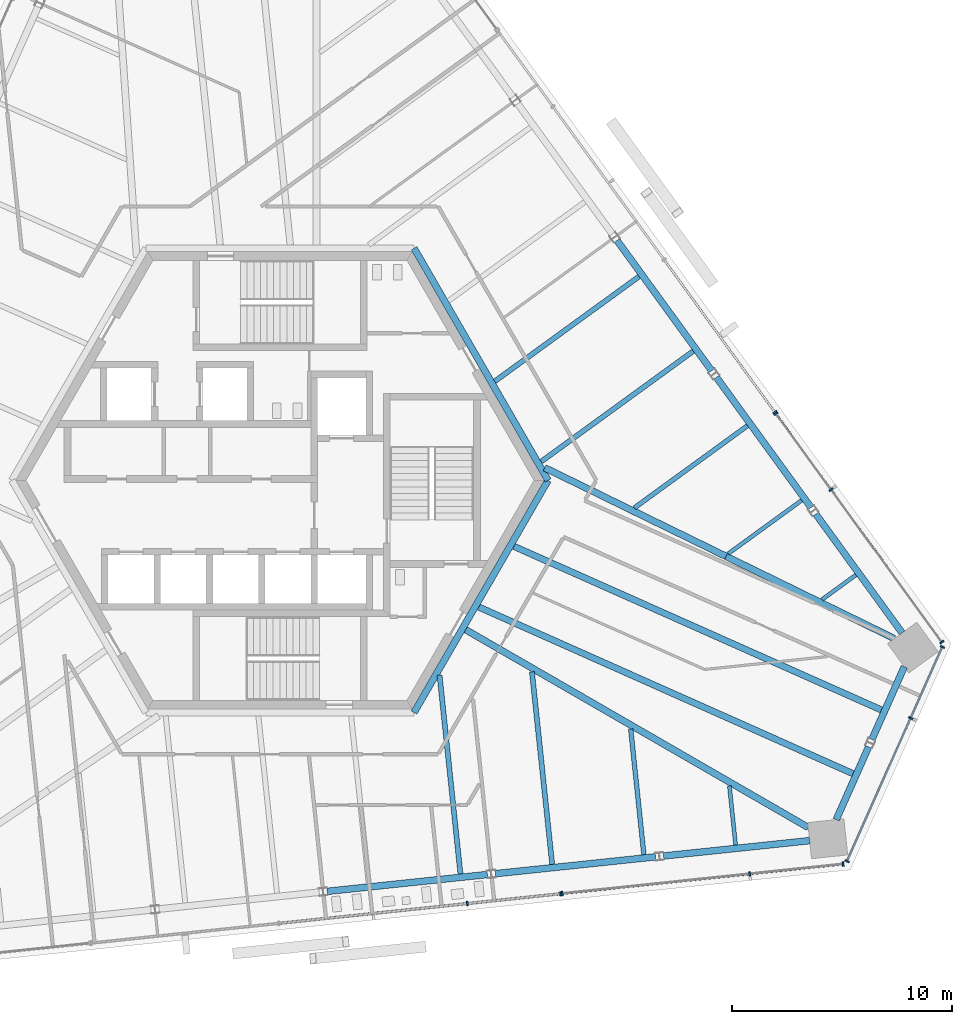
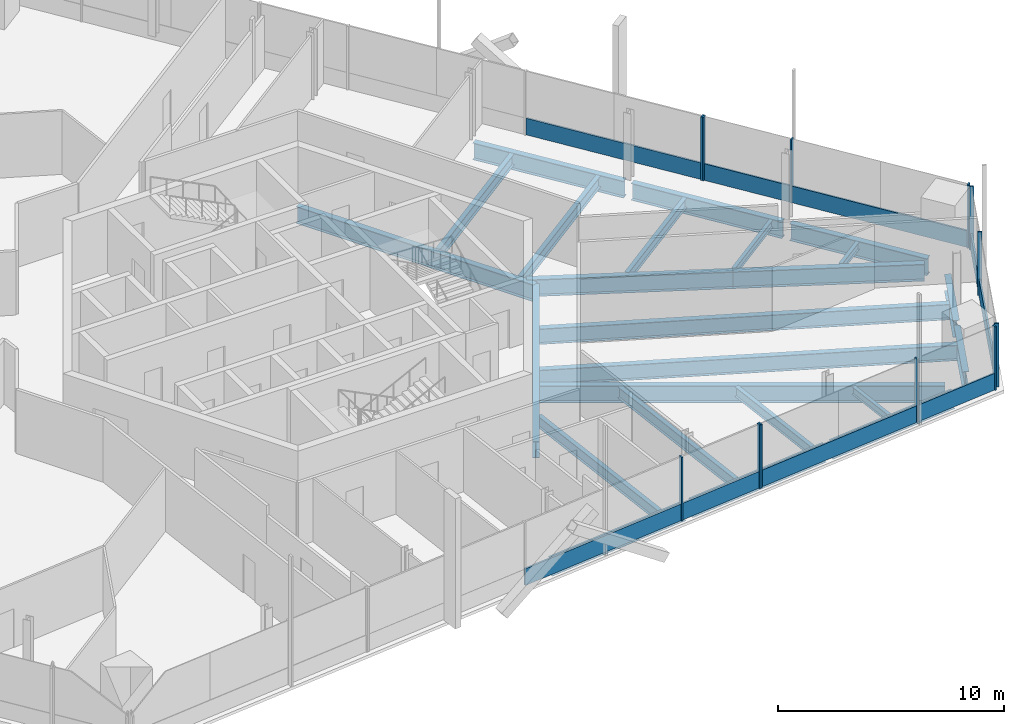
# One storey, part 6 of 20: 24 beams, 21 members, 5 elements without a shape of their own.
"""IFC4 building model written with IfcOpenShell, lengths in metres."""

from ifc_helpers import new_model, si_unit, direction, frame, origin, origin_2d, place, context, subcontext, project, spatial, rectangle, i_section, extrude, source, transform, mapped, material, material_profile, profile_set, type_object, element, aggregate, save


model = new_model("IFC4")

# Units and contexts
model_context = context("Model", 3, precision=1e-05, world=origin(), true_north=direction((0.0, 1.0)))
body_context = subcontext(model_context, "Body", "Model", "MODEL_VIEW")
ifc_project = project(units=[si_unit("LENGTHUNIT", "METRE"), si_unit("AREAUNIT", "SQUARE_METRE"), si_unit("VOLUMEUNIT", "CUBIC_METRE"), si_unit("PLANEANGLEUNIT", "RADIAN"), si_unit("MASSUNIT", "GRAM", prefix="KILO")], contexts=[model_context])

# Site, building, storey
site_placement = place(None, origin())
site = spatial("IfcSite", under=ifc_project, at=site_placement, CompositionType="ELEMENT")
building_placement = place(site_placement, origin())
building = spatial("IfcBuilding", under=site, at=building_placement, Name="Triune Harvest Tower", CompositionType="ELEMENT")
storey_placement = place(building_placement, frame((0.0, 0.0, 234.10009765625)))
storey = spatial("IfcBuildingStorey", under=building, at=storey_placement, Name="L61", CompositionType="ELEMENT", Elevation=234.10009765625)

# Beams
ifc_material_1 = material(Name="Steel ASTM A992 Gr 50", Category="steel")
ifc_material_profile_1 = material_profile(ifc_material_1, i_section(OverallWidth=0.3046875, OverallDepth=0.914306640625, WebThickness=0.0166015625, FlangeThickness=0.02587890625, at=origin_2d()), Name="W36x160")
ifc_profile_set_1 = profile_set([ifc_material_profile_1], Name="Steel ASTM A992 Gr 50")
beam_type_1 = type_object("IfcBeamType", Name="CG-1 Core ring girder W36x160", PredefinedType="BEAM", material=ifc_profile_set_1)
shared_shape_1 = source(origin(), body_context, "Body", "SweptSolid", [
    extrude(i_section(OverallWidth=0.3046875, OverallDepth=0.914306640625, WebThickness=0.0166015625, FlangeThickness=0.02587890625, at=origin_2d()), origin(), (0.0, 0.0, 1.0), 12.176025390625),
])
for number, where, z_axis, x_axis, name in (
    (1, (12.176025390625, 0.0, -0.6171875), (-0.5000099932, 0.866019634131, 0.0), (-0.866019634131, -0.5000099932, 0.0), "beam/L61/CG1"),
    (2, (6.087890625, -10.544677734375, -0.6171875), (0.5000099932, 0.866019634131, 0.0), (-0.866019634131, 0.5000099932, 0.0), "beam/L61/CG6"),
):
    element("IfcBeam", number, at=place(storey_placement, frame(where, z_axis=z_axis, x_axis=x_axis)), inside=storey, type_object=beam_type_1, Name=name, PredefinedType="BEAM", context=body_context, shape_type="MappedRepresentation", body=[
        mapped(shared_shape_1, transform((0.0, 0.0, 0.0), scale=1.0)),
    ])
ifc_material_2 = material(Name="Steel ASTM A992 Gr 50", Category="steel")
ifc_material_profile_2 = material_profile(ifc_material_2, i_section(OverallWidth=0.3046875, OverallDepth=0.914306640625, WebThickness=0.0166015625, FlangeThickness=0.02587890625, at=origin_2d()), Name="W36x160")
ifc_profile_set_2 = profile_set([ifc_material_profile_2], Name="Steel ASTM A992 Gr 50")
beam_type_2 = type_object("IfcBeamType", Name="HG-3 Hip girder W36x160", PredefinedType="BEAM", material=ifc_profile_set_2)
shared_shape_2 = source(origin(), body_context, "Body", "SweptSolid", [
    extrude(i_section(OverallWidth=0.3046875, OverallDepth=0.914306640625, WebThickness=0.0166015625, FlangeThickness=0.02587890625, at=origin_2d()), origin(), (0.0, 0.0, 1.0), 9.168212890625),
])
beam_1_placement = place(storey_placement, frame((20.2587890625, -3.451171875, -0.6171875), z_axis=(-0.898521846145, 0.438928800605, 0.0), x_axis=(-0.438928800605, -0.898521846145, 0.0)))
element("IfcBeam", 3, at=beam_1_placement, inside=storey, type_object=beam_type_2, Name="beam/L61/HG2", PredefinedType="BEAM", context=body_context, shape_type="MappedRepresentation", body=[
    mapped(shared_shape_2, transform((0.0, 0.0, 0.0), scale=1.0)),
])
ifc_material_3 = material(Name="Steel ASTM A992 Gr 50", Category="steel")
ifc_material_profile_3 = material_profile(ifc_material_3, i_section(OverallWidth=0.3046875, OverallDepth=0.914306640625, WebThickness=0.0166015625, FlangeThickness=0.02587890625, at=origin_2d()), Name="W36x160")
ifc_profile_set_3 = profile_set([ifc_material_profile_3], Name="Steel ASTM A992 Gr 50")
beam_type_3 = type_object("IfcBeamType", Name="SB-1 Spandrel beam W36x160", PredefinedType="SPANDREL", material=ifc_profile_set_3)
shared_shape_3 = source(origin(), body_context, "Body", "SweptSolid", [
    extrude(i_section(OverallWidth=0.3046875, OverallDepth=0.914306640625, WebThickness=0.0166015625, FlangeThickness=0.02587890625, at=origin_2d()), origin(), (0.0, 0.0, 1.0), 6.67041015625),
])
for number, where, z_axis, x_axis, name in (
    (4, (28.256591796875, -6.927734375, -0.6171875), (-0.587797324645, 0.80900822316, 0.0), (-0.80900822316, -0.587797324645, 0.0), "beam/L61/SB1"),
    (5, (17.421630859375, -17.060302734375, -0.6171875), (0.994521485501, 0.104532362822, 0.0), (-0.104532362822, 0.994521485501, 0.0), "beam/L61/SB22"),
):
    element("IfcBeam", number, at=place(storey_placement, frame(where, z_axis=z_axis, x_axis=x_axis)), inside=storey, type_object=beam_type_3, Name=name, PredefinedType="SPANDREL", context=body_context, shape_type="MappedRepresentation", body=[
        mapped(shared_shape_3, transform((0.0, 0.0, 0.0), scale=1.0)),
    ])
shared_shape_4 = source(origin(), body_context, "Body", "SweptSolid", [
    extrude(i_section(OverallWidth=0.3046875, OverallDepth=0.914306640625, WebThickness=0.0166015625, FlangeThickness=0.02587890625, at=origin_2d()), origin(), (0.0, 0.0, 1.0), 7.31103515625),
])
for number, where, z_axis, x_axis, name in (
    (6, (24.119384765625, -1.2333984375, -0.6171875), (-0.587786436325, 0.809016134124, 0.0), (-0.809016134124, -0.587786436325, 0.0), "beam/L61/SB2"),
    (7, (19.60546875, 4.9794921875, -0.6171875), (-0.587786436325, 0.809016134124, 0.0), (-0.809016134124, -0.587786436325, 0.0), "beam/L61/SB3"),
    (8, (9.784423828125, -17.863037109375, -0.6171875), (0.994522639393, 0.104521384101, 0.0), (-0.104521384101, 0.994522639393, 0.0), "beam/L61/SB21"),
):
    element("IfcBeam", number, at=place(storey_placement, frame(where, z_axis=z_axis, x_axis=x_axis)), inside=storey, type_object=beam_type_3, Name=name, PredefinedType="SPANDREL", context=body_context, shape_type="MappedRepresentation", body=[
        mapped(shared_shape_4, transform((0.0, 0.0, 0.0), scale=1.0)),
    ])
shared_shape_5 = source(origin(), body_context, "Body", "SweptSolid", [
    extrude(i_section(OverallWidth=0.3046875, OverallDepth=0.914306640625, WebThickness=0.0166015625, FlangeThickness=0.02587890625, at=origin_2d()), origin(), (0.0, 0.0, 1.0), 3.614990234375),
])
beam_2_placement = place(storey_placement, frame((26.883544921875, -11.767822265625, -0.6171875), z_axis=(0.406758712736, 0.913535631277, 0.0), x_axis=(-0.913535631277, 0.406758712736, 0.0)))
element("IfcBeam", 9, at=beam_2_placement, inside=storey, type_object=beam_type_3, Name="beam/L61/SB24", PredefinedType="SPANDREL", context=body_context, shape_type="MappedRepresentation", body=[
    mapped(shared_shape_5, transform((0.0, 0.0, 0.0), scale=1.0)),
])
shared_shape_6 = source(origin(), body_context, "Body", "SweptSolid", [
    extrude(i_section(OverallWidth=0.3046875, OverallDepth=0.914306640625, WebThickness=0.0166015625, FlangeThickness=0.02587890625, at=origin_2d()), origin(), (0.0, 0.0, 1.0), 7.311279296875),
])
beam_3_placement = place(storey_placement, frame((2.14697265625, -18.665771484375, -0.6171875), z_axis=(0.994523004189, 0.104517913008, 0.0), x_axis=(-0.104517913008, 0.994523004189, 0.0)))
element("IfcBeam", 10, at=beam_3_placement, inside=storey, type_object=beam_type_3, Name="beam/L61/SB20", PredefinedType="SPANDREL", context=body_context, shape_type="MappedRepresentation", body=[
    mapped(shared_shape_6, transform((0.0, 0.0, 0.0), scale=1.0)),
])
shared_shape_7 = source(origin(), body_context, "Body", "SweptSolid", [
    extrude(i_section(OverallWidth=0.3046875, OverallDepth=0.914306640625, WebThickness=0.0166015625, FlangeThickness=0.02587890625, at=origin_2d()), origin(), (0.0, 0.0, 1.0), 3.61474609375),
])
beam_4_placement = place(storey_placement, frame((25.263427734375, -15.406494140625, -0.6171875), z_axis=(0.406783809082, 0.913524456525, 0.0), x_axis=(-0.913524456525, 0.406783809082, 0.0)))
element("IfcBeam", 11, at=beam_4_placement, inside=storey, type_object=beam_type_3, Name="beam/L61/SB23", PredefinedType="SPANDREL", context=body_context, shape_type="MappedRepresentation", body=[
    mapped(shared_shape_7, transform((0.0, 0.0, 0.0), scale=1.0)),
])
shared_shape_8 = source(origin(), body_context, "Body", "SweptSolid", [
    extrude(i_section(OverallWidth=0.3046875, OverallDepth=0.914306640625, WebThickness=0.0166015625, FlangeThickness=0.02587890625, at=origin_2d()), origin(), (0.0, 0.0, 1.0), 8.506591796875),
])
beam_5_placement = place(storey_placement, frame((27.902099609375, -7.18505859375, -0.6171875), z_axis=(-0.898516187924, 0.43894038324, 0.0), x_axis=(-0.43894038324, -0.898516187924, 0.0)))
element("IfcBeam", 12, at=beam_5_placement, inside=storey, type_object=beam_type_2, Name="beam/L61/HG1", PredefinedType="BEAM", context=body_context, shape_type="MappedRepresentation", body=[
    mapped(shared_shape_8, transform((0.0, 0.0, 0.0), scale=1.0)),
])
shared_shape_9 = source(origin(), body_context, "Body", "SweptSolid", [
    extrude(i_section(OverallWidth=0.3046875, OverallDepth=0.914306640625, WebThickness=0.0166015625, FlangeThickness=0.02587890625, at=origin_2d()), origin(), (0.0, 0.0, 1.0), 17.96484375),
])
beam_6_placement = place(storey_placement, frame((23.992919921875, -15.766845703125, -0.6171875), z_axis=(-0.866026717539, 0.499997724503, 0.0), x_axis=(-0.499997724503, -0.866026717539, 0.0)))
element("IfcBeam", 13, at=beam_6_placement, inside=storey, type_object=beam_type_2, Name="beam/L61/HG10", PredefinedType="BEAM", context=body_context, shape_type="MappedRepresentation", body=[
    mapped(shared_shape_9, transform((0.0, 0.0, 0.0), scale=1.0)),
])
ifc_material_4 = material(Name="Steel ASTM A992 Gr 50", Category="steel")
ifc_material_profile_4 = material_profile(ifc_material_4, i_section(OverallWidth=0.180908203125, OverallDepth=0.41650390625, WebThickness=0.010986328125, FlangeThickness=0.01806640625, at=origin_2d()), Name="W16x57")
ifc_profile_set_4 = profile_set([ifc_material_profile_4], Name="Steel ASTM A992 Gr 50")
beam_type_4 = type_object("IfcBeamType", Name="JT-1 Floor joist W16x57", PredefinedType="JOIST", material=ifc_profile_set_4)
shared_shape_10 = source(origin(), body_context, "Body", "SweptSolid", [
    extrude(i_section(OverallWidth=0.180908203125, OverallDepth=0.41650390625, WebThickness=0.010986328125, FlangeThickness=0.01806640625, at=origin_2d()), origin(), (0.0, 0.0, 1.0), 1.89892578125),
])
beam_7_placement = place(storey_placement, frame((26.156005859375, -4.2958984375, -0.368408203125), z_axis=(-0.808980650343, -0.587835272309, 0.0), x_axis=(0.587835272309, -0.808980650343, 0.0)))
element("IfcBeam", 14, at=beam_7_placement, inside=storey, type_object=beam_type_4, Name="beam/L61/JT1", PredefinedType="JOIST", context=body_context, shape_type="MappedRepresentation", body=[
    mapped(shared_shape_10, transform((0.0, 0.0, 0.0), scale=1.0)),
])
shared_shape_11 = source(origin(), body_context, "Body", "SweptSolid", [
    extrude(i_section(OverallWidth=0.180908203125, OverallDepth=0.41650390625, WebThickness=0.010986328125, FlangeThickness=0.01806640625, at=origin_2d()), origin(), (0.0, 0.0, 1.0), 4.122802734375),
])
beam_8_placement = place(storey_placement, frame((23.69384765625, -0.906982421875, -0.368408203125), z_axis=(-0.809017670691, -0.587784321423, 0.0), x_axis=(0.587784321423, -0.809017670691, 0.0)))
element("IfcBeam", 15, at=beam_8_placement, inside=storey, type_object=beam_type_4, Name="beam/L61/JT2", PredefinedType="JOIST", context=body_context, shape_type="MappedRepresentation", body=[
    mapped(shared_shape_11, transform((0.0, 0.0, 0.0), scale=1.0)),
])
ifc_material_5 = material(Name="Steel ASTM A992 Gr 50", Category="steel")
ifc_material_profile_5 = material_profile(ifc_material_5, i_section(OverallWidth=0.2099609375, OverallDepth=0.535888671875, WebThickness=0.010986328125, FlangeThickness=0.017333984375, at=origin_2d()), Name="W21x68")
ifc_profile_set_5 = profile_set([ifc_material_profile_5], Name="Steel ASTM A992 Gr 50")
beam_type_5 = type_object("IfcBeamType", Name="JT-2 Floor joist W21x68", PredefinedType="JOIST", material=ifc_profile_set_5)
shared_shape_12 = source(origin(), body_context, "Body", "SweptSolid", [
    extrude(i_section(OverallWidth=0.2099609375, OverallDepth=0.535888671875, WebThickness=0.010986328125, FlangeThickness=0.017333984375, at=origin_2d()), origin(), (0.0, 0.0, 1.0), 6.346435546875),
])
beam_9_placement = place(storey_placement, frame((21.231689453125, 2.481689453125, -0.427978515625), z_axis=(-0.809002165091, -0.58780566251, 0.0), x_axis=(0.58780566251, -0.809002165091, 0.0)))
element("IfcBeam", 16, at=beam_9_placement, inside=storey, type_object=beam_type_5, Name="beam/L61/JT3", PredefinedType="JOIST", context=body_context, shape_type="MappedRepresentation", body=[
    mapped(shared_shape_12, transform((0.0, 0.0, 0.0), scale=1.0)),
])
ifc_material_6 = material(Name="Steel ASTM A992 Gr 50", Category="steel")
ifc_material_profile_6 = material_profile(ifc_material_6, i_section(OverallWidth=0.22900390625, OverallDepth=0.612060546875, WebThickness=0.011962890625, FlangeThickness=0.01953125, at=origin_2d()), Name="W24x84")
ifc_profile_set_6 = profile_set([ifc_material_profile_6], Name="Steel ASTM A992 Gr 50")
beam_type_6 = type_object("IfcBeamType", Name="JT-3 Floor joist W24x84", PredefinedType="JOIST", material=ifc_profile_set_6)
shared_shape_13 = source(origin(), body_context, "Body", "SweptSolid", [
    extrude(i_section(OverallWidth=0.22900390625, OverallDepth=0.612060546875, WebThickness=0.011962890625, FlangeThickness=0.01953125, at=origin_2d()), origin(), (0.0, 0.0, 1.0), 8.540283203125),
])
beam_10_placement = place(storey_placement, frame((18.769775390625, 5.87060546875, -0.46630859375), z_axis=(-0.809019081634, -0.587782379416, 0.0), x_axis=(0.587782379416, -0.809019081634, 0.0)))
element("IfcBeam", 17, at=beam_10_placement, inside=storey, type_object=beam_type_6, Name="beam/L61/JT4", PredefinedType="JOIST", context=body_context, shape_type="MappedRepresentation", body=[
    mapped(shared_shape_13, transform((0.0, 0.0, 0.0), scale=1.0)),
])
shared_shape_14 = source(origin(), body_context, "Body", "SweptSolid", [
    extrude(i_section(OverallWidth=0.22900390625, OverallDepth=0.612060546875, WebThickness=0.011962890625, FlangeThickness=0.01953125, at=origin_2d()), origin(), (0.0, 0.0, 1.0), 8.099609375),
])
beam_11_placement = place(storey_placement, frame((16.3076171875, 9.25927734375, -0.46630859375), z_axis=(-0.809022748574, -0.587777332235, 0.0), x_axis=(0.587777332235, -0.809022748574, 0.0)))
element("IfcBeam", 18, at=beam_11_placement, inside=storey, type_object=beam_type_6, Name="beam/L61/JT5", PredefinedType="JOIST", context=body_context, shape_type="MappedRepresentation", body=[
    mapped(shared_shape_14, transform((0.0, 0.0, 0.0), scale=1.0)),
])
shared_shape_15 = source(origin(), body_context, "Body", "SweptSolid", [
    extrude(i_section(OverallWidth=0.22900390625, OverallDepth=0.612060546875, WebThickness=0.011962890625, FlangeThickness=0.01953125, at=origin_2d()), origin(), (0.0, 0.0, 1.0), 9.084716796875),
])
beam_12_placement = place(storey_placement, frame((8.19677734375, -17.876708984375, -0.46630859375), z_axis=(-0.104539296445, 0.994520756696, 0.0), x_axis=(-0.994520756696, -0.104539296445, 0.0)))
element("IfcBeam", 19, at=beam_12_placement, inside=storey, type_object=beam_type_6, Name="beam/L61/JT31", PredefinedType="JOIST", context=body_context, shape_type="MappedRepresentation", body=[
    mapped(shared_shape_15, transform((0.0, 0.0, 0.0), scale=1.0)),
])
shared_shape_16 = source(origin(), body_context, "Body", "SweptSolid", [
    extrude(i_section(OverallWidth=0.2099609375, OverallDepth=0.535888671875, WebThickness=0.010986328125, FlangeThickness=0.017333984375, at=origin_2d()), origin(), (0.0, 0.0, 1.0), 5.745849609375),
])
beam_13_placement = place(storey_placement, frame((16.5283203125, -17.0009765625, -0.427978515625), z_axis=(-0.104525532782, 0.99452220337, 0.0), x_axis=(-0.99452220337, -0.104525532782, 0.0)))
element("IfcBeam", 20, at=beam_13_placement, inside=storey, type_object=beam_type_5, Name="beam/L61/JT33", PredefinedType="JOIST", context=body_context, shape_type="MappedRepresentation", body=[
    mapped(shared_shape_16, transform((0.0, 0.0, 0.0), scale=1.0)),
])
shared_shape_17 = source(origin(), body_context, "Body", "SweptSolid", [
    extrude(i_section(OverallWidth=0.180908203125, OverallDepth=0.41650390625, WebThickness=0.010986328125, FlangeThickness=0.01806640625, at=origin_2d()), origin(), (0.0, 0.0, 1.0), 2.70263671875),
])
beam_14_placement = place(storey_placement, frame((20.694091796875, -16.56298828125, -0.368408203125), z_axis=(-0.104520196043, 0.994522764254, 0.0), x_axis=(-0.994522764254, -0.104520196043, 0.0)))
element("IfcBeam", 21, at=beam_14_placement, inside=storey, type_object=beam_type_4, Name="beam/L61/JT34", PredefinedType="JOIST", context=body_context, shape_type="MappedRepresentation", body=[
    mapped(shared_shape_17, transform((0.0, 0.0, 0.0), scale=1.0)),
])
ifc_material_7 = material(Name="Steel ASTM A992 Gr 50", Category="steel")
ifc_material_profile_7 = material_profile(ifc_material_7, i_section(OverallWidth=0.2919921875, OverallDepth=0.8408203125, WebThickness=0.0146484375, FlangeThickness=0.021728515625, at=origin_2d()), Name="W33x130")
ifc_profile_set_7 = profile_set([ifc_material_profile_7], Name="Steel ASTM A992 Gr 50")
beam_type_7 = type_object("IfcBeamType", Name="JT-6 Floor joist W33x130", PredefinedType="JOIST", material=ifc_profile_set_7)
shared_shape_18 = source(origin(), body_context, "Body", "SweptSolid", [
    extrude(i_section(OverallWidth=0.2919921875, OverallDepth=0.8408203125, WebThickness=0.0146484375, FlangeThickness=0.021728515625, at=origin_2d()), origin(), (0.0, 0.0, 1.0), 18.60400390625),
])
beam_15_placement = place(storey_placement, frame((26.025390625, -13.32080078125, -0.58056640625), z_axis=(-0.913546187597, 0.406735003568, 0.0), x_axis=(-0.406735003568, -0.913546187597, 0.0)))
element("IfcBeam", 22, at=beam_15_placement, inside=storey, type_object=beam_type_7, Name="beam/L61/JT35", PredefinedType="JOIST", context=body_context, shape_type="MappedRepresentation", body=[
    mapped(shared_shape_18, transform((0.0, 0.0, 0.0), scale=1.0)),
])
shared_shape_19 = source(origin(), body_context, "Body", "SweptSolid", [
    extrude(i_section(OverallWidth=0.22900390625, OverallDepth=0.612060546875, WebThickness=0.011962890625, FlangeThickness=0.01953125, at=origin_2d()), origin(), (0.0, 0.0, 1.0), 8.7890625),
])
beam_16_placement = place(storey_placement, frame((12.362548828125, -17.438720703125, -0.46630859375), z_axis=(-0.104527173764, 0.9945220309, 0.0), x_axis=(-0.9945220309, -0.104527173764, 0.0)))
element("IfcBeam", 23, at=beam_16_placement, inside=storey, type_object=beam_type_6, Name="beam/L61/JT32", PredefinedType="JOIST", context=body_context, shape_type="MappedRepresentation", body=[
    mapped(shared_shape_19, transform((0.0, 0.0, 0.0), scale=1.0)),
])
shared_shape_20 = source(origin(), body_context, "Body", "SweptSolid", [
    extrude(i_section(OverallWidth=0.2919921875, OverallDepth=0.8408203125, WebThickness=0.0146484375, FlangeThickness=0.021728515625, at=origin_2d()), origin(), (0.0, 0.0, 1.0), 18.270751953125),
])
beam_17_placement = place(storey_placement, frame((27.313720703125, -10.427001953125, -0.58056640625), z_axis=(-0.913545207047, 0.406737205922, 0.0), x_axis=(-0.406737205922, -0.913545207047, 0.0)))
element("IfcBeam", 24, at=beam_17_placement, inside=storey, type_object=beam_type_7, Name="beam/L61/JT36", PredefinedType="JOIST", context=body_context, shape_type="MappedRepresentation", body=[
    mapped(shared_shape_20, transform((0.0, 0.0, 0.0), scale=1.0)),
])

# Curtain wall, members
ifc_material_8 = material(Name="Aluminium bronze anodised", Category="aluminium")
curtain_wall_type_1 = type_object("IfcCurtainWallType", Name="CW-1 Tower stick curtain wall", PredefinedType="NOTDEFINED", material=ifc_material_8)
curtain_wall_1_placement = place(storey_placement, origin())
curtain_wall_1 = element("IfcCurtainWall", 25, at=curtain_wall_1_placement, inside=storey, type_object=curtain_wall_type_1, Name="CW-1 B6-F1 L61 run 1")
ifc_material_9 = material(Name="Aluminium bronze anodised", Category="aluminium")
ifc_material_profile_8 = material_profile(ifc_material_9, rectangle(XDim=0.199951171875, YDim=0.074951171875, at=origin_2d()), Name="MU-1 mullion 75 x 200")
ifc_profile_set_8 = profile_set([ifc_material_profile_8], Name="Aluminium bronze anodised")
member_type_1 = type_object("IfcMemberType", Name="MU-1 mullion 75 x 200", PredefinedType="MULLION", material=ifc_profile_set_8)
shared_shape_21 = source(origin(), body_context, "Body", "SweptSolid", [
    extrude(rectangle(XDim=0.199951171875, YDim=0.074951171875, at=origin_2d()), origin(), (0.0, 0.0, 1.0), 3.43994140625),
])
member_1_placement = place(storey_placement, frame((30.062255859375, -7.34521484375, 0.0), z_axis=(0.0, 0.0, 1.0), x_axis=(-0.809016286364, -0.587786226785, 0.0)))
member_1 = element("IfcMember", 26, at=member_1_placement, type_object=member_type_1, Name="CW-1 mullion B6-F1 1.1", PredefinedType="MULLION", context=body_context, shape_type="MappedRepresentation", body=[
    mapped(shared_shape_21, transform((0.0, 0.0, 0.0), scale=1.0)),
])
member_2_placement = place(storey_placement, frame((25.029296875, -0.41796875, 0.0), z_axis=(0.0, 0.0, 1.0), x_axis=(-0.809016286364, -0.587786226785, 0.0)))
member_2 = element("IfcMember", 27, at=member_2_placement, type_object=member_type_1, Name="CW-1 mullion B6-F1 1.3", PredefinedType="MULLION", context=body_context, shape_type="MappedRepresentation", body=[
    mapped(shared_shape_21, transform((0.0, 0.0, 0.0), scale=1.0)),
])
member_3_placement = place(storey_placement, frame((22.52392578125, 3.030517578125, 0.0), z_axis=(0.0, 0.0, 1.0), x_axis=(-0.809016286364, -0.587786226785, 0.0)))
member_3 = element("IfcMember", 28, at=member_3_placement, type_object=member_type_1, Name="CW-1 mullion B6-F1 1.4", PredefinedType="MULLION", context=body_context, shape_type="MappedRepresentation", body=[
    mapped(shared_shape_21, transform((0.0, 0.0, 0.0), scale=1.0)),
])

# Curtain wall, member
ifc_material_10 = material(Name="Aluminium bronze anodised", Category="aluminium")
curtain_wall_type_2 = type_object("IfcCurtainWallType", Name="CW-7 Tower stick curtain wall with insulated spandrel infill", PredefinedType="NOTDEFINED", material=ifc_material_10)
curtain_wall_2_placement = place(storey_placement, origin())
curtain_wall_2 = element("IfcCurtainWall", 29, at=curtain_wall_2_placement, inside=storey, type_object=curtain_wall_type_2, Name="CW-7 B6-F1 L61 run 1001")
member_4_placement = place(storey_placement, frame((22.479736328125, 3.091064453125, 0.0), z_axis=(0.0, 0.0, 1.0), x_axis=(-0.809017173042, -0.587785006378, 0.0)))
member_4 = element("IfcMember", 30, at=member_4_placement, type_object=member_type_1, Name="CW-7 mullion B6-F1 1001.1", PredefinedType="MULLION", context=body_context, shape_type="MappedRepresentation", body=[
    mapped(shared_shape_21, transform((0.0, 0.0, 0.0), scale=1.0)),
])

# Curtain wall, members
curtain_wall_3_placement = place(storey_placement, origin())
curtain_wall_3 = element("IfcCurtainWall", 31, at=curtain_wall_3_placement, inside=storey, type_object=curtain_wall_type_2, Name="CW-7 B6-F5 L61 run 1001")
member_5_placement = place(storey_placement, frame((8.505615234375, -19.219482421875, 0.0), z_axis=(0.0, 0.0, 1.0), x_axis=(-0.104534430351, 0.994521268184, 0.0)))
member_5 = element("IfcMember", 32, at=member_5_placement, type_object=member_type_1, Name="CW-7 mullion B6-F5 1001.5", PredefinedType="MULLION", context=body_context, shape_type="MappedRepresentation", body=[
    mapped(shared_shape_21, transform((0.0, 0.0, 0.0), scale=1.0)),
])
member_6_placement = place(storey_placement, frame((12.744873046875, -18.77392578125, 0.0), z_axis=(0.0, 0.0, 1.0), x_axis=(-0.104534430351, 0.994521268184, 0.0)))
member_6 = element("IfcMember", 33, at=member_6_placement, type_object=member_type_1, Name="CW-7 mullion B6-F5 1001.6", PredefinedType="MULLION", context=body_context, shape_type="MappedRepresentation", body=[
    mapped(shared_shape_21, transform((0.0, 0.0, 0.0), scale=1.0)),
])

curtain_wall_4_placement = place(storey_placement, origin())
curtain_wall_4 = element("IfcCurtainWall", 34, at=curtain_wall_4_placement, inside=storey, type_object=curtain_wall_type_1, Name="CW-1 B6-F5 L61 run 2001")
member_7_placement = place(storey_placement, frame((12.8193359375, -18.76611328125, 0.0), z_axis=(0.0, 0.0, 1.0), x_axis=(-0.104526068567, 0.994522147059, 0.0)))
member_7 = element("IfcMember", 35, at=member_7_placement, type_object=member_type_1, Name="CW-1 mullion B6-F5 2001.1", PredefinedType="MULLION", context=body_context, shape_type="MappedRepresentation", body=[
    mapped(shared_shape_21, transform((0.0, 0.0, 0.0), scale=1.0)),
])
member_8_placement = place(storey_placement, frame((21.3349609375, -17.87109375, 0.0), z_axis=(0.0, 0.0, 1.0), x_axis=(-0.104526068567, 0.994522147059, 0.0)))
member_8 = element("IfcMember", 36, at=member_8_placement, type_object=member_type_1, Name="CW-1 mullion B6-F5 2001.3", PredefinedType="MULLION", context=body_context, shape_type="MappedRepresentation", body=[
    mapped(shared_shape_21, transform((0.0, 0.0, 0.0), scale=1.0)),
])
member_9_placement = place(storey_placement, frame((25.57421875, -17.425537109375, 0.0), z_axis=(0.0, 0.0, 1.0), x_axis=(-0.104526068567, 0.994522147059, 0.0)))
member_9 = element("IfcMember", 37, at=member_9_placement, type_object=member_type_1, Name="CW-1 mullion B6-F5 2001.4", PredefinedType="MULLION", context=body_context, shape_type="MappedRepresentation", body=[
    mapped(shared_shape_21, transform((0.0, 0.0, 0.0), scale=1.0)),
])

curtain_wall_5_placement = place(storey_placement, origin())
curtain_wall_5 = element("IfcCurtainWall", 38, at=curtain_wall_5_placement, inside=storey, type_object=curtain_wall_type_1, Name="CW-1 B6-F6 L61 run 1")
member_10_placement = place(storey_placement, frame((25.7529296875, -17.2958984375, 0.0), z_axis=(0.0, 0.0, 1.0), x_axis=(-0.913542531121, 0.406743216086, 0.0)))
member_10 = element("IfcMember", 39, at=member_10_placement, type_object=member_type_1, Name="CW-1 mullion B6-F6 1.1", PredefinedType="MULLION", context=body_context, shape_type="MappedRepresentation", body=[
    mapped(shared_shape_21, transform((0.0, 0.0, 0.0), scale=1.0)),
])
member_11_placement = place(storey_placement, frame((28.646240234375, -10.797119140625, 0.0), z_axis=(0.0, 0.0, 1.0), x_axis=(-0.913542531121, 0.406743216086, 0.0)))
member_11 = element("IfcMember", 40, at=member_11_placement, type_object=member_type_1, Name="CW-1 mullion B6-F6 1.3", PredefinedType="MULLION", context=body_context, shape_type="MappedRepresentation", body=[
    mapped(shared_shape_21, transform((0.0, 0.0, 0.0), scale=1.0)),
])
member_12_placement = place(storey_placement, frame((30.08544921875, -7.56494140625, 0.0), z_axis=(0.0, 0.0, 1.0), x_axis=(-0.913542531121, 0.406743216086, 0.0)))
member_12 = element("IfcMember", 41, at=member_12_placement, type_object=member_type_1, Name="CW-1 mullion B6-F6 1.4", PredefinedType="MULLION", context=body_context, shape_type="MappedRepresentation", body=[
    mapped(shared_shape_21, transform((0.0, 0.0, 0.0), scale=1.0)),
])
ifc_material_11 = material(Name="Aluminium bronze anodised", Category="aluminium")
ifc_material_profile_9 = material_profile(ifc_material_11, rectangle(XDim=0.090087890625, YDim=0.89990234375, at=origin_2d()), Name="TR-1 transom 90 x 900")
ifc_profile_set_9 = profile_set([ifc_material_profile_9], Name="Aluminium bronze anodised")
member_type_2 = type_object("IfcMemberType", Name="TR-1 transom 90 x 900", PredefinedType="USERDEFINED", material=ifc_profile_set_9)
shared_shape_22 = source(origin(), body_context, "Body", "SweptSolid", [
    extrude(rectangle(XDim=0.090087890625, YDim=0.89990234375, at=origin_2d()), origin(), (0.0, 0.0, 1.0), 7.038818359375),
])
member_13_placement = place(storey_placement, frame((25.76806640625, -17.261474609375, 0.449951171875), z_axis=(0.406753052694, 0.913538151433, 0.0), x_axis=(-0.913538151433, 0.406753052694, 0.0)))
member_13 = element("IfcMember", 42, at=member_13_placement, type_object=member_type_2, Name="CW-1 transom B6-F6 1.1", ObjectType="TRANSOM", PredefinedType="USERDEFINED", context=body_context, shape_type="MappedRepresentation", body=[
    mapped(shared_shape_22, transform((0.0, 0.0, 0.0), scale=1.0)),
])
shared_shape_23 = source(origin(), body_context, "Body", "SweptSolid", [
    extrude(rectangle(XDim=0.090087890625, YDim=0.89990234375, at=origin_2d()), origin(), (0.0, 0.0, 1.0), 3.463134765625),
])
member_14_placement = place(storey_placement, frame((28.66162109375, -10.762939453125, 0.449951171875), z_axis=(0.406694368517, 0.913564278317, 0.0), x_axis=(-0.913564278317, 0.406694368517, 0.0)))
member_14 = element("IfcMember", 43, at=member_14_placement, type_object=member_type_2, Name="CW-1 transom B6-F6 1.2", ObjectType="TRANSOM", PredefinedType="USERDEFINED", context=body_context, shape_type="MappedRepresentation", body=[
    mapped(shared_shape_23, transform((0.0, 0.0, 0.0), scale=1.0)),
])
aggregate(curtain_wall_5, [member_10, member_11, member_12, member_13, member_14])

# Member
shared_shape_24 = source(origin(), body_context, "Body", "SweptSolid", [
    extrude(rectangle(XDim=0.090087890625, YDim=0.89990234375, at=origin_2d()), origin(), (0.0, 0.0, 1.0), 8.487548828125),
])
member_15_placement = place(storey_placement, frame((30.040283203125, -7.31494140625, 0.449951171875), z_axis=(-0.587771412018, 0.809027049742, 0.0), x_axis=(-0.809027049742, -0.587771412018, 0.0)))
member_15 = element("IfcMember", 44, at=member_15_placement, type_object=member_type_2, Name="CW-1 transom B6-F1 1.1", ObjectType="TRANSOM", PredefinedType="USERDEFINED", context=body_context, shape_type="MappedRepresentation", body=[
    mapped(shared_shape_24, transform((0.0, 0.0, 0.0), scale=1.0)),
])

member_16_placement = place(storey_placement, frame((12.856689453125, -18.76220703125, 0.449951171875), z_axis=(0.994521832377, 0.104529062585, 0.0), x_axis=(-0.104529062585, 0.994521832377, 0.0)))
member_16 = element("IfcMember", 45, at=member_16_placement, type_object=member_type_2, Name="CW-1 transom B6-F5 2001.1", ObjectType="TRANSOM", PredefinedType="USERDEFINED", context=body_context, shape_type="MappedRepresentation", body=[
    mapped(shared_shape_24, transform((0.0, 0.0, 0.0), scale=1.0)),
])

shared_shape_25 = source(origin(), body_context, "Body", "SweptSolid", [
    extrude(rectangle(XDim=0.090087890625, YDim=0.89990234375, at=origin_2d()), origin(), (0.0, 0.0, 1.0), 4.1875),
])
member_17_placement = place(storey_placement, frame((8.54296875, -19.215576171875, 0.449951171875), z_axis=(0.994521095578, 0.10453607248, 0.0), x_axis=(-0.10453607248, 0.994521095578, 0.0)))
member_17 = element("IfcMember", 46, at=member_17_placement, type_object=member_type_2, Name="CW-7 transom B6-F5 1001.3", ObjectType="TRANSOM", PredefinedType="USERDEFINED", context=body_context, shape_type="MappedRepresentation", body=[
    mapped(shared_shape_25, transform((0.0, 0.0, 0.0), scale=1.0)),
])

member_18_placement = place(storey_placement, frame((21.372314453125, -17.8671875, 0.449951171875), z_axis=(0.994521095578, 0.10453607248, 0.0), x_axis=(-0.10453607248, 0.994521095578, 0.0)))
member_18 = element("IfcMember", 47, at=member_18_placement, type_object=member_type_2, Name="CW-1 transom B6-F5 2001.2", ObjectType="TRANSOM", PredefinedType="USERDEFINED", context=body_context, shape_type="MappedRepresentation", body=[
    mapped(shared_shape_25, transform((0.0, 0.0, 0.0), scale=1.0)),
])

aggregate(curtain_wall_4, [member_7, member_8, member_9, member_16, member_18])

shared_shape_26 = source(origin(), body_context, "Body", "SweptSolid", [
    extrude(rectangle(XDim=0.090087890625, YDim=0.89990234375, at=origin_2d()), origin(), (0.0, 0.0, 1.0), 8.4873046875),
])
member_19_placement = place(storey_placement, frame((22.457763671875, 3.12158203125, 0.449951171875), z_axis=(-0.587785090378, 0.809017112013, 0.0), x_axis=(-0.809017112013, -0.587785090378, 0.0)))
member_19 = element("IfcMember", 48, at=member_19_placement, type_object=member_type_2, Name="CW-7 transom B6-F1 1001.1", ObjectType="TRANSOM", PredefinedType="USERDEFINED", context=body_context, shape_type="MappedRepresentation", body=[
    mapped(shared_shape_26, transform((0.0, 0.0, 0.0), scale=1.0)),
])

aggregate(curtain_wall_2, [member_4, member_19])

shared_shape_27 = source(origin(), body_context, "Body", "SweptSolid", [
    extrude(rectangle(XDim=0.090087890625, YDim=0.89990234375, at=origin_2d()), origin(), (0.0, 0.0, 1.0), 8.52490234375),
])
member_20_placement = place(storey_placement, frame((-0.010009765625, -20.11474609375, 0.449951171875), z_axis=(0.994521760736, 0.104529744196, 0.0), x_axis=(-0.104529744196, 0.994521760736, 0.0)))
member_20 = element("IfcMember", 49, at=member_20_placement, type_object=member_type_2, Name="CW-7 transom B6-F5 1001.2", ObjectType="TRANSOM", PredefinedType="USERDEFINED", context=body_context, shape_type="MappedRepresentation", body=[
    mapped(shared_shape_27, transform((0.0, 0.0, 0.0), scale=1.0)),
])

aggregate(curtain_wall_3, [member_5, member_6, member_20, member_17])

shared_shape_28 = source(origin(), body_context, "Body", "SweptSolid", [
    extrude(rectangle(XDim=0.090087890625, YDim=0.89990234375, at=origin_2d()), origin(), (0.0, 0.0, 1.0), 4.187744140625),
])
member_21_placement = place(storey_placement, frame((25.00732421875, -0.3876953125, 0.449951171875), z_axis=(-0.587776450788, 0.809023388969, 0.0), x_axis=(-0.809023388969, -0.587776450788, 0.0)))
member_21 = element("IfcMember", 50, at=member_21_placement, type_object=member_type_2, Name="CW-1 transom B6-F1 1.2", ObjectType="TRANSOM", PredefinedType="USERDEFINED", context=body_context, shape_type="MappedRepresentation", body=[
    mapped(shared_shape_28, transform((0.0, 0.0, 0.0), scale=1.0)),
])

aggregate(curtain_wall_1, [member_1, member_2, member_3, member_15, member_21])

save(model, "model.ifc")
